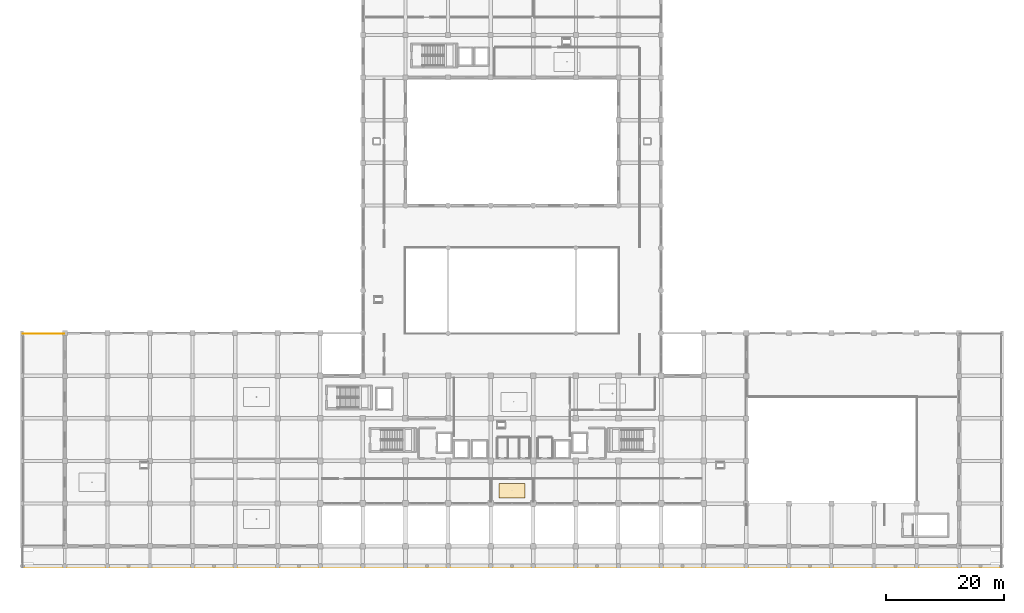
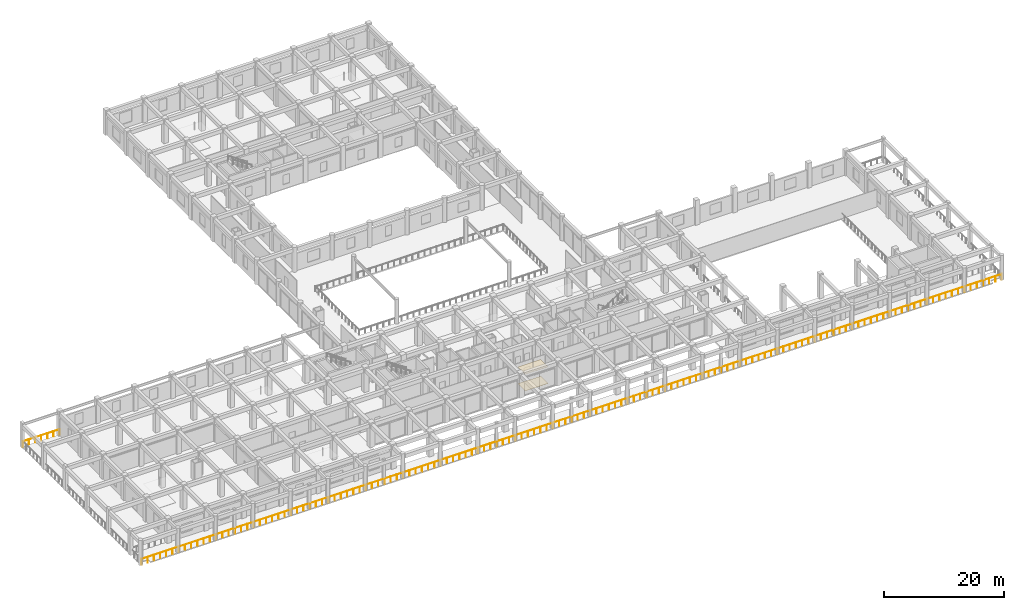
# One storey, part 49 of 54: 2 coverings, 2 railings.
"""IFC4 building model written with IfcOpenShell, lengths in metres."""

from ifc_helpers import new_model, si_unit, direction, frame, origin, origin_2d, place, context, subcontext, project, spatial, rectangle, circle, extrude, material, layer, layer_set, type_object, element, save


model = new_model("IFC4")

# Units and contexts
model_context = context("Model", 3, precision=1e-05, world=origin(), true_north=direction((0.0, 1.0)))
body_context = subcontext(model_context, "Body", "Model", "MODEL_VIEW")
ifc_project = project(units=[si_unit("LENGTHUNIT", "METRE"), si_unit("AREAUNIT", "SQUARE_METRE"), si_unit("VOLUMEUNIT", "CUBIC_METRE"), si_unit("PLANEANGLEUNIT", "RADIAN"), si_unit("MASSUNIT", "GRAM", prefix="KILO")], contexts=[model_context])

# Site, building, storey
site_placement = place(None, origin())
site = spatial("IfcSite", under=ifc_project, at=site_placement, CompositionType="ELEMENT")
building_placement = place(site_placement, origin())
building = spatial("IfcBuilding", under=site, at=building_placement, Name="Kazehaya Institute of Natural Sciences", CompositionType="ELEMENT")
storey_placement = place(building_placement, frame((0.0, 0.0, 5.39990234375)))
storey = spatial("IfcBuildingStorey", under=building, at=storey_placement, Name="L01", CompositionType="ELEMENT", Elevation=5.39990234375)

# Coverings
ifc_material_1 = material(Name="Mineral-fibre acoustic ceiling tile")
ifc_layer_1 = layer(ifc_material_1, 0.02490234375, Name="Mineral-fibre acoustic ceiling tile")
ifc_layer_set_1 = layer_set([ifc_layer_1], Name="Mineral-fibre acoustic ceiling tile")
covering_type_1 = type_object("IfcCoveringType", Name="COV-CEIL-AC", PredefinedType="CEILING", material=ifc_layer_set_1)
covering_1_placement = place(storey_placement, frame((87.0, 16.175048828125, 3.3876953125), z_axis=(0.0, 0.0, 1.0), x_axis=(1.0, 0.0, 0.0)))
element("IfcCovering", 1, at=covering_1_placement, inside=storey, type_object=covering_type_1, Name="L01 Molecular Biology Laboratory ceiling 15", PredefinedType="CEILING", context=body_context, shape_type="SweptSolid", body=[
    extrude(rectangle(XDim=4.39990234375, YDim=2.449951171875, at=origin_2d()), origin(), (0.0, 0.0, 1.0), 0.02490234375),
])
ifc_material_2 = material(Name="Seamless chemical-resistant epoxy flooring")
ifc_layer_2 = layer(ifc_material_2, 0.014892578125, Name="Seamless chemical-resistant epoxy flooring")
ifc_layer_set_2 = layer_set([ifc_layer_2], Name="Seamless chemical-resistant epoxy flooring")
covering_type_2 = type_object("IfcCoveringType", Name="COV-FLR-EPX", PredefinedType="FLOORING", material=ifc_layer_set_2)
covering_2_placement = place(storey_placement, frame((87.0, 16.175048828125, 0.0), z_axis=(0.0, 0.0, 1.0), x_axis=(1.0, 0.0, 0.0)))
element("IfcCovering", 2, at=covering_2_placement, inside=storey, type_object=covering_type_2, Name="L01 Molecular Biology Laboratory finish flooring 15", PredefinedType="FLOORING", context=body_context, shape_type="SweptSolid", body=[
    extrude(rectangle(XDim=4.39990234375, YDim=2.449951171875, at=origin_2d()), origin(), (0.0, 0.0, 1.0), 0.014892578125),
])

# Railings
ifc_material_3 = material(Name="Precast limestone and bronze balustrade", Category="masonry")
railing_type = type_object("IfcRailingType", Name="RL-GUARD-TER", PredefinedType="BALUSTRADE", material=ifc_material_3)
railing_1_placement = place(storey_placement, frame((4.280029296875, 3.280029296875, 0.0)))
element("IfcRailing", 3, at=railing_1_placement, inside=storey, type_object=railing_type, Name="L01 terrace balustrade GRD-L01-001", PredefinedType="BALUSTRADE", context=body_context, shape_type="SweptSolid", body=[
    extrude(circle(Radius=0.02392578125, at=origin_2d()), frame((0.0, 0.0, 1.1259765625), z_axis=(1.0, 0.0, 0.0), x_axis=(0.0, 1.0, 0.0)), (0.0, 0.0, 1.0), 165.43994140625),
    extrude(circle(Radius=0.02099609375, at=origin_2d()), origin(), (0.0, 0.0, 1.0), 1.101806640625),
    extrude(circle(Radius=0.02099609375, at=origin_2d()), frame((1.19873046875, 0.0, 0.0)), (0.0, 0.0, 1.0), 1.101806640625),
    extrude(circle(Radius=0.02099609375, at=origin_2d()), frame((2.397705078125, 0.0, 0.0)), (0.0, 0.0, 1.0), 1.101806640625),
    extrude(circle(Radius=0.02099609375, at=origin_2d()), frame((3.596435546875, 0.0, 0.0)), (0.0, 0.0, 1.0), 1.101806640625),
    extrude(circle(Radius=0.02099609375, at=origin_2d()), frame((4.79541015625, 0.0, 0.0)), (0.0, 0.0, 1.0), 1.101806640625),
    extrude(circle(Radius=0.02099609375, at=origin_2d()), frame((5.994140625, 0.0, 0.0)), (0.0, 0.0, 1.0), 1.101806640625),
    extrude(circle(Radius=0.02099609375, at=origin_2d()), frame((7.193115234375, 0.0, 0.0)), (0.0, 0.0, 1.0), 1.101806640625),
    extrude(circle(Radius=0.02099609375, at=origin_2d()), frame((8.391845703125, 0.0, 0.0)), (0.0, 0.0, 1.0), 1.101806640625),
    extrude(circle(Radius=0.02099609375, at=origin_2d()), frame((9.5908203125, 0.0, 0.0)), (0.0, 0.0, 1.0), 1.101806640625),
    extrude(circle(Radius=0.02099609375, at=origin_2d()), frame((10.78955078125, 0.0, 0.0)), (0.0, 0.0, 1.0), 1.101806640625),
    extrude(circle(Radius=0.02099609375, at=origin_2d()), frame((11.98828125, 0.0, 0.0)), (0.0, 0.0, 1.0), 1.101806640625),
    extrude(circle(Radius=0.02099609375, at=origin_2d()), frame((13.187255859375, 0.0, 0.0)), (0.0, 0.0, 1.0), 1.101806640625),
    extrude(circle(Radius=0.02099609375, at=origin_2d()), frame((14.385986328125, 0.0, 0.0)), (0.0, 0.0, 1.0), 1.101806640625),
    extrude(circle(Radius=0.02099609375, at=origin_2d()), frame((15.5849609375, 0.0, 0.0)), (0.0, 0.0, 1.0), 1.101806640625),
    extrude(circle(Radius=0.02099609375, at=origin_2d()), frame((16.78369140625, 0.0, 0.0)), (0.0, 0.0, 1.0), 1.101806640625),
    extrude(circle(Radius=0.02099609375, at=origin_2d()), frame((17.982666015625, 0.0, 0.0)), (0.0, 0.0, 1.0), 1.101806640625),
    extrude(circle(Radius=0.02099609375, at=origin_2d()), frame((19.181396484375, 0.0, 0.0)), (0.0, 0.0, 1.0), 1.101806640625),
    extrude(circle(Radius=0.02099609375, at=origin_2d()), frame((20.38037109375, 0.0, 0.0)), (0.0, 0.0, 1.0), 1.101806640625),
    extrude(circle(Radius=0.02099609375, at=origin_2d()), frame((21.5791015625, 0.0, 0.0)), (0.0, 0.0, 1.0), 1.101806640625),
    extrude(circle(Radius=0.02099609375, at=origin_2d()), frame((22.778076171875, 0.0, 0.0)), (0.0, 0.0, 1.0), 1.101806640625),
    extrude(circle(Radius=0.02099609375, at=origin_2d()), frame((23.976806640625, 0.0, 0.0)), (0.0, 0.0, 1.0), 1.101806640625),
    extrude(circle(Radius=0.02099609375, at=origin_2d()), frame((25.175537109375, 0.0, 0.0)), (0.0, 0.0, 1.0), 1.101806640625),
    extrude(circle(Radius=0.02099609375, at=origin_2d()), frame((26.37451171875, 0.0, 0.0)), (0.0, 0.0, 1.0), 1.101806640625),
    extrude(circle(Radius=0.02099609375, at=origin_2d()), frame((27.5732421875, 0.0, 0.0)), (0.0, 0.0, 1.0), 1.101806640625),
    extrude(circle(Radius=0.02099609375, at=origin_2d()), frame((28.772216796875, 0.0, 0.0)), (0.0, 0.0, 1.0), 1.101806640625),
    extrude(circle(Radius=0.02099609375, at=origin_2d()), frame((29.970947265625, 0.0, 0.0)), (0.0, 0.0, 1.0), 1.101806640625),
    extrude(circle(Radius=0.02099609375, at=origin_2d()), frame((31.169921875, 0.0, 0.0)), (0.0, 0.0, 1.0), 1.101806640625),
    extrude(circle(Radius=0.02099609375, at=origin_2d()), frame((32.36865234375, 0.0, 0.0)), (0.0, 0.0, 1.0), 1.101806640625),
    extrude(circle(Radius=0.02099609375, at=origin_2d()), frame((33.567626953125, 0.0, 0.0)), (0.0, 0.0, 1.0), 1.101806640625),
    extrude(circle(Radius=0.02099609375, at=origin_2d()), frame((34.766357421875, 0.0, 0.0)), (0.0, 0.0, 1.0), 1.101806640625),
    extrude(circle(Radius=0.02099609375, at=origin_2d()), frame((35.965087890625, 0.0, 0.0)), (0.0, 0.0, 1.0), 1.101806640625),
    extrude(circle(Radius=0.02099609375, at=origin_2d()), frame((37.1640625, 0.0, 0.0)), (0.0, 0.0, 1.0), 1.101806640625),
    extrude(circle(Radius=0.02099609375, at=origin_2d()), frame((38.36279296875, 0.0, 0.0)), (0.0, 0.0, 1.0), 1.101806640625),
    extrude(circle(Radius=0.02099609375, at=origin_2d()), frame((39.561767578125, 0.0, 0.0)), (0.0, 0.0, 1.0), 1.101806640625),
    extrude(circle(Radius=0.02099609375, at=origin_2d()), frame((40.760498046875, 0.0, 0.0)), (0.0, 0.0, 1.0), 1.101806640625),
    extrude(circle(Radius=0.02099609375, at=origin_2d()), frame((41.95947265625, 0.0, 0.0)), (0.0, 0.0, 1.0), 1.101806640625),
    extrude(circle(Radius=0.02099609375, at=origin_2d()), frame((43.158203125, 0.0, 0.0)), (0.0, 0.0, 1.0), 1.101806640625),
    extrude(circle(Radius=0.02099609375, at=origin_2d()), frame((44.357177734375, 0.0, 0.0)), (0.0, 0.0, 1.0), 1.101806640625),
    extrude(circle(Radius=0.02099609375, at=origin_2d()), frame((45.555908203125, 0.0, 0.0)), (0.0, 0.0, 1.0), 1.101806640625),
    extrude(circle(Radius=0.02099609375, at=origin_2d()), frame((46.7548828125, 0.0, 0.0)), (0.0, 0.0, 1.0), 1.101806640625),
    extrude(circle(Radius=0.02099609375, at=origin_2d()), frame((47.95361328125, 0.0, 0.0)), (0.0, 0.0, 1.0), 1.101806640625),
    extrude(circle(Radius=0.02099609375, at=origin_2d()), frame((49.15234375, 0.0, 0.0)), (0.0, 0.0, 1.0), 1.101806640625),
    extrude(circle(Radius=0.02099609375, at=origin_2d()), frame((50.351318359375, 0.0, 0.0)), (0.0, 0.0, 1.0), 1.101806640625),
    extrude(circle(Radius=0.02099609375, at=origin_2d()), frame((51.550048828125, 0.0, 0.0)), (0.0, 0.0, 1.0), 1.101806640625),
    extrude(circle(Radius=0.02099609375, at=origin_2d()), frame((52.7490234375, 0.0, 0.0)), (0.0, 0.0, 1.0), 1.101806640625),
    extrude(circle(Radius=0.02099609375, at=origin_2d()), frame((53.94775390625, 0.0, 0.0)), (0.0, 0.0, 1.0), 1.101806640625),
    extrude(circle(Radius=0.02099609375, at=origin_2d()), frame((55.146728515625, 0.0, 0.0)), (0.0, 0.0, 1.0), 1.101806640625),
    extrude(circle(Radius=0.02099609375, at=origin_2d()), frame((56.345458984375, 0.0, 0.0)), (0.0, 0.0, 1.0), 1.101806640625),
    extrude(circle(Radius=0.02099609375, at=origin_2d()), frame((57.54443359375, 0.0, 0.0)), (0.0, 0.0, 1.0), 1.101806640625),
    extrude(circle(Radius=0.02099609375, at=origin_2d()), frame((58.7431640625, 0.0, 0.0)), (0.0, 0.0, 1.0), 1.101806640625),
    extrude(circle(Radius=0.02099609375, at=origin_2d()), frame((59.94189453125, 0.0, 0.0)), (0.0, 0.0, 1.0), 1.101806640625),
    extrude(circle(Radius=0.02099609375, at=origin_2d()), frame((61.140869140625, 0.0, 0.0)), (0.0, 0.0, 1.0), 1.101806640625),
    extrude(circle(Radius=0.02099609375, at=origin_2d()), frame((62.339599609375, 0.0, 0.0)), (0.0, 0.0, 1.0), 1.101806640625),
    extrude(circle(Radius=0.02099609375, at=origin_2d()), frame((63.53857421875, 0.0, 0.0)), (0.0, 0.0, 1.0), 1.101806640625),
    extrude(circle(Radius=0.02099609375, at=origin_2d()), frame((64.7373046875, 0.0, 0.0)), (0.0, 0.0, 1.0), 1.101806640625),
    extrude(circle(Radius=0.02099609375, at=origin_2d()), frame((65.936279296875, 0.0, 0.0)), (0.0, 0.0, 1.0), 1.101806640625),
    extrude(circle(Radius=0.02099609375, at=origin_2d()), frame((67.135009765625, 0.0, 0.0)), (0.0, 0.0, 1.0), 1.101806640625),
    extrude(circle(Radius=0.02099609375, at=origin_2d()), frame((68.333984375, 0.0, 0.0)), (0.0, 0.0, 1.0), 1.101806640625),
    extrude(circle(Radius=0.02099609375, at=origin_2d()), frame((69.53271484375, 0.0, 0.0)), (0.0, 0.0, 1.0), 1.101806640625),
    extrude(circle(Radius=0.02099609375, at=origin_2d()), frame((70.731689453125, 0.0, 0.0)), (0.0, 0.0, 1.0), 1.101806640625),
    extrude(circle(Radius=0.02099609375, at=origin_2d()), frame((71.930419921875, 0.0, 0.0)), (0.0, 0.0, 1.0), 1.101806640625),
    extrude(circle(Radius=0.02099609375, at=origin_2d()), frame((73.129150390625, 0.0, 0.0)), (0.0, 0.0, 1.0), 1.101806640625),
    extrude(circle(Radius=0.02099609375, at=origin_2d()), frame((74.328125, 0.0, 0.0)), (0.0, 0.0, 1.0), 1.101806640625),
    extrude(circle(Radius=0.02099609375, at=origin_2d()), frame((75.52685546875, 0.0, 0.0)), (0.0, 0.0, 1.0), 1.101806640625),
    extrude(circle(Radius=0.02099609375, at=origin_2d()), frame((76.725830078125, 0.0, 0.0)), (0.0, 0.0, 1.0), 1.101806640625),
    extrude(circle(Radius=0.02099609375, at=origin_2d()), frame((77.924560546875, 0.0, 0.0)), (0.0, 0.0, 1.0), 1.101806640625),
    extrude(circle(Radius=0.02099609375, at=origin_2d()), frame((79.12353515625, 0.0, 0.0)), (0.0, 0.0, 1.0), 1.101806640625),
    extrude(circle(Radius=0.02099609375, at=origin_2d()), frame((80.322265625, 0.0, 0.0)), (0.0, 0.0, 1.0), 1.101806640625),
    extrude(circle(Radius=0.02099609375, at=origin_2d()), frame((81.521240234375, 0.0, 0.0)), (0.0, 0.0, 1.0), 1.101806640625),
    extrude(circle(Radius=0.02099609375, at=origin_2d()), frame((82.719970703125, 0.0, 0.0)), (0.0, 0.0, 1.0), 1.101806640625),
    extrude(circle(Radius=0.02099609375, at=origin_2d()), frame((83.918701171875, 0.0, 0.0)), (0.0, 0.0, 1.0), 1.101806640625),
    extrude(circle(Radius=0.02099609375, at=origin_2d()), frame((85.11767578125, 0.0, 0.0)), (0.0, 0.0, 1.0), 1.101806640625),
    extrude(circle(Radius=0.02099609375, at=origin_2d()), frame((86.31640625, 0.0, 0.0)), (0.0, 0.0, 1.0), 1.101806640625),
    extrude(circle(Radius=0.02099609375, at=origin_2d()), frame((87.515380859375, 0.0, 0.0)), (0.0, 0.0, 1.0), 1.101806640625),
    extrude(circle(Radius=0.02099609375, at=origin_2d()), frame((88.714111328125, 0.0, 0.0)), (0.0, 0.0, 1.0), 1.101806640625),
    extrude(circle(Radius=0.02099609375, at=origin_2d()), frame((89.9130859375, 0.0, 0.0)), (0.0, 0.0, 1.0), 1.101806640625),
    extrude(circle(Radius=0.02099609375, at=origin_2d()), frame((91.11181640625, 0.0, 0.0)), (0.0, 0.0, 1.0), 1.101806640625),
    extrude(circle(Radius=0.02099609375, at=origin_2d()), frame((92.310791015625, 0.0, 0.0)), (0.0, 0.0, 1.0), 1.101806640625),
    extrude(circle(Radius=0.02099609375, at=origin_2d()), frame((93.509521484375, 0.0, 0.0)), (0.0, 0.0, 1.0), 1.101806640625),
    extrude(circle(Radius=0.02099609375, at=origin_2d()), frame((94.708251953125, 0.0, 0.0)), (0.0, 0.0, 1.0), 1.101806640625),
    extrude(circle(Radius=0.02099609375, at=origin_2d()), frame((95.9072265625, 0.0, 0.0)), (0.0, 0.0, 1.0), 1.101806640625),
    extrude(circle(Radius=0.02099609375, at=origin_2d()), frame((97.10595703125, 0.0, 0.0)), (0.0, 0.0, 1.0), 1.101806640625),
    extrude(circle(Radius=0.02099609375, at=origin_2d()), frame((98.304931640625, 0.0, 0.0)), (0.0, 0.0, 1.0), 1.101806640625),
    extrude(circle(Radius=0.02099609375, at=origin_2d()), frame((99.503662109375, 0.0, 0.0)), (0.0, 0.0, 1.0), 1.101806640625),
    extrude(circle(Radius=0.02099609375, at=origin_2d()), frame((100.70263671875, 0.0, 0.0)), (0.0, 0.0, 1.0), 1.101806640625),
    extrude(circle(Radius=0.02099609375, at=origin_2d()), frame((101.9013671875, 0.0, 0.0)), (0.0, 0.0, 1.0), 1.101806640625),
    extrude(circle(Radius=0.02099609375, at=origin_2d()), frame((103.100341796875, 0.0, 0.0)), (0.0, 0.0, 1.0), 1.101806640625),
    extrude(circle(Radius=0.02099609375, at=origin_2d()), frame((104.299072265625, 0.0, 0.0)), (0.0, 0.0, 1.0), 1.101806640625),
    extrude(circle(Radius=0.02099609375, at=origin_2d()), frame((105.498046875, 0.0, 0.0)), (0.0, 0.0, 1.0), 1.101806640625),
    extrude(circle(Radius=0.02099609375, at=origin_2d()), frame((106.69677734375, 0.0, 0.0)), (0.0, 0.0, 1.0), 1.101806640625),
    extrude(circle(Radius=0.02099609375, at=origin_2d()), frame((107.8955078125, 0.0, 0.0)), (0.0, 0.0, 1.0), 1.101806640625),
    extrude(circle(Radius=0.02099609375, at=origin_2d()), frame((109.094482421875, 0.0, 0.0)), (0.0, 0.0, 1.0), 1.101806640625),
    extrude(circle(Radius=0.02099609375, at=origin_2d()), frame((110.293212890625, 0.0, 0.0)), (0.0, 0.0, 1.0), 1.101806640625),
    extrude(circle(Radius=0.02099609375, at=origin_2d()), frame((111.4921875, 0.0, 0.0)), (0.0, 0.0, 1.0), 1.101806640625),
    extrude(circle(Radius=0.02099609375, at=origin_2d()), frame((112.69091796875, 0.0, 0.0)), (0.0, 0.0, 1.0), 1.101806640625),
    extrude(circle(Radius=0.02099609375, at=origin_2d()), frame((113.889892578125, 0.0, 0.0)), (0.0, 0.0, 1.0), 1.101806640625),
    extrude(circle(Radius=0.02099609375, at=origin_2d()), frame((115.088623046875, 0.0, 0.0)), (0.0, 0.0, 1.0), 1.101806640625),
    extrude(circle(Radius=0.02099609375, at=origin_2d()), frame((116.28759765625, 0.0, 0.0)), (0.0, 0.0, 1.0), 1.101806640625),
    extrude(circle(Radius=0.02099609375, at=origin_2d()), frame((117.486328125, 0.0, 0.0)), (0.0, 0.0, 1.0), 1.101806640625),
    extrude(circle(Radius=0.02099609375, at=origin_2d()), frame((118.68505859375, 0.0, 0.0)), (0.0, 0.0, 1.0), 1.101806640625),
    extrude(circle(Radius=0.02099609375, at=origin_2d()), frame((119.884033203125, 0.0, 0.0)), (0.0, 0.0, 1.0), 1.101806640625),
    extrude(circle(Radius=0.02099609375, at=origin_2d()), frame((121.082763671875, 0.0, 0.0)), (0.0, 0.0, 1.0), 1.101806640625),
    extrude(circle(Radius=0.02099609375, at=origin_2d()), frame((122.28173828125, 0.0, 0.0)), (0.0, 0.0, 1.0), 1.101806640625),
    extrude(circle(Radius=0.02099609375, at=origin_2d()), frame((123.48046875, 0.0, 0.0)), (0.0, 0.0, 1.0), 1.101806640625),
    extrude(circle(Radius=0.02099609375, at=origin_2d()), frame((124.679443359375, 0.0, 0.0)), (0.0, 0.0, 1.0), 1.101806640625),
    extrude(circle(Radius=0.02099609375, at=origin_2d()), frame((125.878173828125, 0.0, 0.0)), (0.0, 0.0, 1.0), 1.101806640625),
    extrude(circle(Radius=0.02099609375, at=origin_2d()), frame((127.0771484375, 0.0, 0.0)), (0.0, 0.0, 1.0), 1.101806640625),
    extrude(circle(Radius=0.02099609375, at=origin_2d()), frame((128.27587890625, 0.0, 0.0)), (0.0, 0.0, 1.0), 1.101806640625),
    extrude(circle(Radius=0.02099609375, at=origin_2d()), frame((129.474853515625, 0.0, 0.0)), (0.0, 0.0, 1.0), 1.101806640625),
    extrude(circle(Radius=0.02099609375, at=origin_2d()), frame((130.673583984375, 0.0, 0.0)), (0.0, 0.0, 1.0), 1.101806640625),
    extrude(circle(Radius=0.02099609375, at=origin_2d()), frame((131.872314453125, 0.0, 0.0)), (0.0, 0.0, 1.0), 1.101806640625),
    extrude(circle(Radius=0.02099609375, at=origin_2d()), frame((133.0712890625, 0.0, 0.0)), (0.0, 0.0, 1.0), 1.101806640625),
    extrude(circle(Radius=0.02099609375, at=origin_2d()), frame((134.27001953125, 0.0, 0.0)), (0.0, 0.0, 1.0), 1.101806640625),
    extrude(circle(Radius=0.02099609375, at=origin_2d()), frame((135.468994140625, 0.0, 0.0)), (0.0, 0.0, 1.0), 1.101806640625),
    extrude(circle(Radius=0.02099609375, at=origin_2d()), frame((136.667724609375, 0.0, 0.0)), (0.0, 0.0, 1.0), 1.101806640625),
    extrude(circle(Radius=0.02099609375, at=origin_2d()), frame((137.86669921875, 0.0, 0.0)), (0.0, 0.0, 1.0), 1.101806640625),
    extrude(circle(Radius=0.02099609375, at=origin_2d()), frame((139.0654296875, 0.0, 0.0)), (0.0, 0.0, 1.0), 1.101806640625),
    extrude(circle(Radius=0.02099609375, at=origin_2d()), frame((140.264404296875, 0.0, 0.0)), (0.0, 0.0, 1.0), 1.101806640625),
    extrude(circle(Radius=0.02099609375, at=origin_2d()), frame((141.463134765625, 0.0, 0.0)), (0.0, 0.0, 1.0), 1.101806640625),
    extrude(circle(Radius=0.02099609375, at=origin_2d()), frame((142.661865234375, 0.0, 0.0)), (0.0, 0.0, 1.0), 1.101806640625),
    extrude(circle(Radius=0.02099609375, at=origin_2d()), frame((143.86083984375, 0.0, 0.0)), (0.0, 0.0, 1.0), 1.101806640625),
    extrude(circle(Radius=0.02099609375, at=origin_2d()), frame((145.0595703125, 0.0, 0.0)), (0.0, 0.0, 1.0), 1.101806640625),
    extrude(circle(Radius=0.02099609375, at=origin_2d()), frame((146.258544921875, 0.0, 0.0)), (0.0, 0.0, 1.0), 1.101806640625),
    extrude(circle(Radius=0.02099609375, at=origin_2d()), frame((147.457275390625, 0.0, 0.0)), (0.0, 0.0, 1.0), 1.101806640625),
    extrude(circle(Radius=0.02099609375, at=origin_2d()), frame((148.65625, 0.0, 0.0)), (0.0, 0.0, 1.0), 1.101806640625),
    extrude(circle(Radius=0.02099609375, at=origin_2d()), frame((149.85498046875, 0.0, 0.0)), (0.0, 0.0, 1.0), 1.101806640625),
    extrude(circle(Radius=0.02099609375, at=origin_2d()), frame((151.053955078125, 0.0, 0.0)), (0.0, 0.0, 1.0), 1.101806640625),
    extrude(circle(Radius=0.02099609375, at=origin_2d()), frame((152.252685546875, 0.0, 0.0)), (0.0, 0.0, 1.0), 1.101806640625),
    extrude(circle(Radius=0.02099609375, at=origin_2d()), frame((153.45166015625, 0.0, 0.0)), (0.0, 0.0, 1.0), 1.101806640625),
    extrude(circle(Radius=0.02099609375, at=origin_2d()), frame((154.650390625, 0.0, 0.0)), (0.0, 0.0, 1.0), 1.101806640625),
    extrude(circle(Radius=0.02099609375, at=origin_2d()), frame((155.84912109375, 0.0, 0.0)), (0.0, 0.0, 1.0), 1.101806640625),
    extrude(circle(Radius=0.02099609375, at=origin_2d()), frame((157.048095703125, 0.0, 0.0)), (0.0, 0.0, 1.0), 1.101806640625),
    extrude(circle(Radius=0.02099609375, at=origin_2d()), frame((158.246826171875, 0.0, 0.0)), (0.0, 0.0, 1.0), 1.101806640625),
    extrude(circle(Radius=0.02099609375, at=origin_2d()), frame((159.44580078125, 0.0, 0.0)), (0.0, 0.0, 1.0), 1.101806640625),
    extrude(circle(Radius=0.02099609375, at=origin_2d()), frame((160.64453125, 0.0, 0.0)), (0.0, 0.0, 1.0), 1.101806640625),
    extrude(circle(Radius=0.02099609375, at=origin_2d()), frame((161.843505859375, 0.0, 0.0)), (0.0, 0.0, 1.0), 1.101806640625),
    extrude(circle(Radius=0.02099609375, at=origin_2d()), frame((163.042236328125, 0.0, 0.0)), (0.0, 0.0, 1.0), 1.101806640625),
    extrude(circle(Radius=0.02099609375, at=origin_2d()), frame((164.2412109375, 0.0, 0.0)), (0.0, 0.0, 1.0), 1.101806640625),
    extrude(circle(Radius=0.02099609375, at=origin_2d()), frame((165.43994140625, 0.0, 0.0)), (0.0, 0.0, 1.0), 1.101806640625),
])
railing_2_placement = place(storey_placement, frame((11.320068359375, 42.719970703125, 0.0)))
element("IfcRailing", 4, at=railing_2_placement, inside=storey, type_object=railing_type, Name="L01 terrace balustrade GRD-L01-005", PredefinedType="BALUSTRADE", context=body_context, shape_type="SweptSolid", body=[
    extrude(circle(Radius=0.02392578125, at=origin_2d()), frame((0.0, 0.0, 1.1259765625), z_axis=(-1.0, 0.0, 0.0), x_axis=(0.0, -1.0, 0.0)), (0.0, 0.0, 1.0), 7.0400390625),
    extrude(circle(Radius=0.02099609375, at=origin_2d()), origin(), (0.0, 0.0, 1.0), 1.101806640625),
    extrude(circle(Radius=0.02099609375, at=origin_2d()), frame((-1.17333984375, 0.0, 0.0)), (0.0, 0.0, 1.0), 1.101806640625),
    extrude(circle(Radius=0.02099609375, at=origin_2d()), frame((-2.3466796875, 0.0, 0.0)), (0.0, 0.0, 1.0), 1.101806640625),
    extrude(circle(Radius=0.02099609375, at=origin_2d()), frame((-3.52001953125, 0.0, 0.0)), (0.0, 0.0, 1.0), 1.101806640625),
    extrude(circle(Radius=0.02099609375, at=origin_2d()), frame((-4.693359375, 0.0, 0.0)), (0.0, 0.0, 1.0), 1.101806640625),
    extrude(circle(Radius=0.02099609375, at=origin_2d()), frame((-5.86669921875, 0.0, 0.0)), (0.0, 0.0, 1.0), 1.101806640625),
    extrude(circle(Radius=0.02099609375, at=origin_2d()), frame((-7.0400390625, 0.0, 0.0)), (0.0, 0.0, 1.0), 1.101806640625),
])

save(model, "model.ifc")
